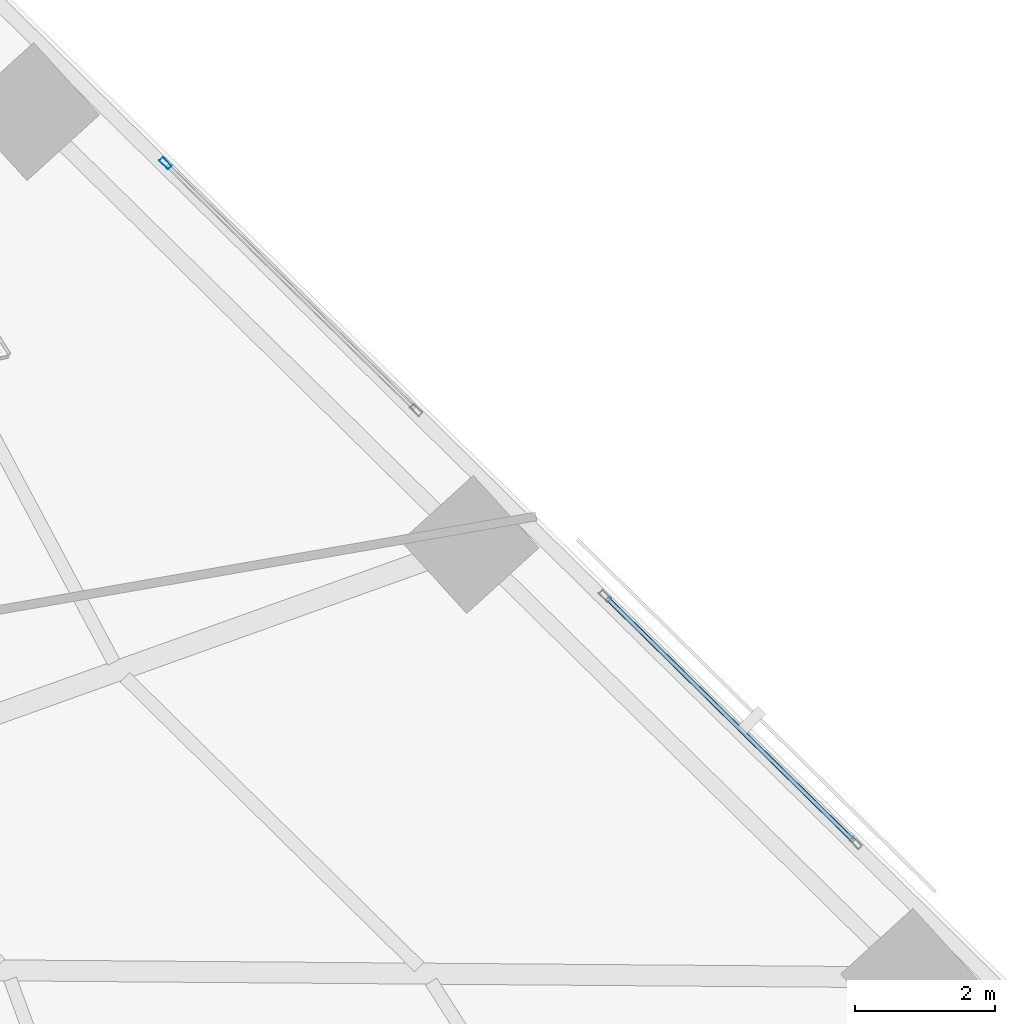
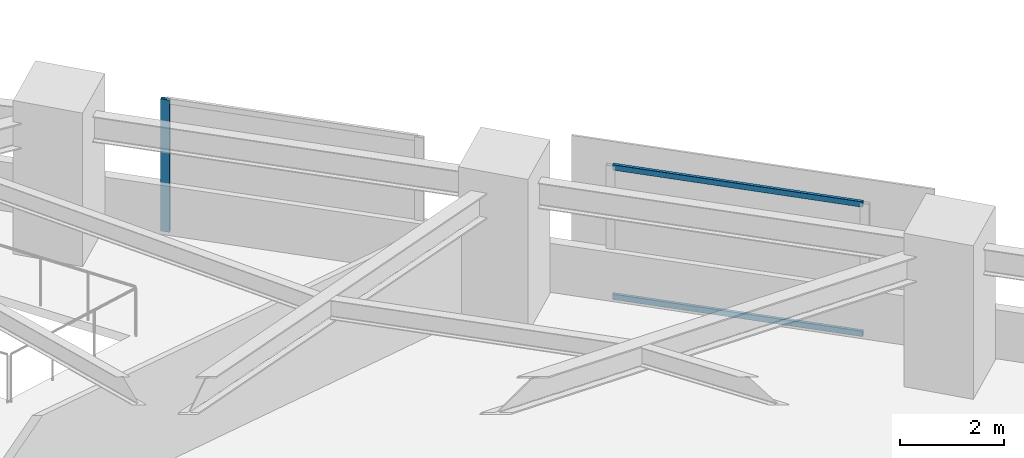
# One storey, part 7 of 17: 3 members, 2 elements without a shape of their own.
"""IFC4 building model written with IfcOpenShell, lengths in metres."""

from ifc_helpers import new_model, si_unit, direction, frame, origin, origin_2d, place, context, subcontext, project, spatial, hollow_rectangle, extrude, material, material_profile, profile_set, type_object, element, aggregate, save


model = new_model("IFC4")

# Units and contexts
model_context = context("Model", 3, precision=1e-05, world=origin(), true_north=direction((0.0, 1.0)))
body_context = subcontext(model_context, "Body", "Model", "MODEL_VIEW")
ifc_project = project(units=[si_unit("LENGTHUNIT", "METRE"), si_unit("AREAUNIT", "SQUARE_METRE"), si_unit("VOLUMEUNIT", "CUBIC_METRE"), si_unit("PLANEANGLEUNIT", "RADIAN"), si_unit("MASSUNIT", "GRAM", prefix="KILO")], contexts=[model_context])

# Site, building, storey
site_placement = place(None, origin())
site = spatial("IfcSite", under=ifc_project, at=site_placement, CompositionType="ELEMENT")
building_placement = place(site_placement, origin())
building = spatial("IfcBuilding", under=site, at=building_placement, Name="Narakoshi Arena Tower", CompositionType="ELEMENT")
storey_placement = place(building_placement, frame((0.0, 0.0, 55.5)))
storey = spatial("IfcBuildingStorey", under=building, at=storey_placement, Name="L14", CompositionType="ELEMENT", Elevation=55.5)

# Curtain wall, member
ifc_material = material(Name="Anodised bronze aluminium 6063-T6", Category="aluminium")
curtain_wall_type = type_object("IfcCurtainWallType", Name="CW-HYP-LOW", PredefinedType="NOTDEFINED", material=ifc_material)
curtain_wall_1_placement = place(storey_placement, origin())
curtain_wall_1 = element("IfcCurtainWall", 1, at=curtain_wall_1_placement, inside=storey, type_object=curtain_wall_type, Name="L14 Folded Hypotenuse Curtain Wall 1-4", PredefinedType="NOTDEFINED")
ifc_material_profile_1 = material_profile(ifc_material, hollow_rectangle(XDim=0.074951171875, YDim=0.179931640625, WallThickness=0.00390625, OuterFilletRadius=0.0048828125, at=origin_2d()), Name="MUL180x75x4")
ifc_profile_set_1 = profile_set([ifc_material_profile_1], Name="Anodised bronze aluminium 6063-T6")
member_type_1 = type_object("IfcMemberType", Name="MEM-MUL-180", PredefinedType="MULLION", material=ifc_profile_set_1)
member_1_placement = place(storey_placement, frame((97.982177734375, 54.835205078125, 0.0), z_axis=(0.0, 0.0, 1.0), x_axis=(-0.701632802488, -0.712538708053, 0.0)))
member_1 = element("IfcMember", 2, at=member_1_placement, type_object=member_type_1, Name="CW-01 mullion 2", PredefinedType="MULLION", context=body_context, shape_type="SweptSolid", body=[
    extrude(hollow_rectangle(XDim=0.074951171875, YDim=0.179931640625, WallThickness=0.00390625, OuterFilletRadius=0.0048828125, at=origin_2d()), origin(), (0.0, 0.0, 1.0), 3.10009765625),
])
aggregate(curtain_wall_1, [member_1])

# Curtain wall, members
curtain_wall_2_placement = place(storey_placement, origin())
curtain_wall_2 = element("IfcCurtainWall", 3, at=curtain_wall_2_placement, inside=storey, type_object=curtain_wall_type, Name="L14 Folded Hypotenuse Curtain Wall 1-3", PredefinedType="NOTDEFINED")
ifc_material_profile_2 = material_profile(ifc_material, hollow_rectangle(XDim=0.06494140625, YDim=0.1298828125, WallThickness=0.00390625, OuterFilletRadius=0.0048828125, at=origin_2d()), Name="TRN130x65x4")
ifc_profile_set_2 = profile_set([ifc_material_profile_2], Name="Anodised bronze aluminium 6063-T6")
member_type_2 = type_object("IfcMemberType", Name="MEM-TRN-130", PredefinedType="USERDEFINED", material=ifc_profile_set_2)
member_2_placement = place(storey_placement, frame((107.845947265625, 45.122314453125, 0.032470703125), z_axis=(-0.712542243067, 0.701629212508, 0.0), x_axis=(-0.701629212508, -0.712542243067, 0.0)))
member_2 = element("IfcMember", 4, at=member_2_placement, type_object=member_type_2, Name="CW-01 transom 1.1", ObjectType="TRANSOM", PredefinedType="USERDEFINED", context=body_context, shape_type="SweptSolid", body=[
    extrude(hollow_rectangle(XDim=0.06494140625, YDim=0.1298828125, WallThickness=0.00390625, OuterFilletRadius=0.0048828125, at=origin_2d()), origin(), (0.0, 0.0, 1.0), 4.966552734375),
])
member_3_placement = place(storey_placement, frame((107.845947265625, 45.122314453125, 3.0673828125), z_axis=(-0.712542243067, 0.701629212508, 0.0), x_axis=(-0.701629212508, -0.712542243067, 0.0)))
member_3 = element("IfcMember", 5, at=member_3_placement, type_object=member_type_2, Name="CW-01 transom 1.2", ObjectType="TRANSOM", PredefinedType="USERDEFINED", context=body_context, shape_type="SweptSolid", body=[
    extrude(hollow_rectangle(XDim=0.06494140625, YDim=0.1298828125, WallThickness=0.00390625, OuterFilletRadius=0.0048828125, at=origin_2d()), origin(), (0.0, 0.0, 1.0), 4.966552734375),
])
aggregate(curtain_wall_2, [member_2, member_3])

save(model, "model.ifc")
